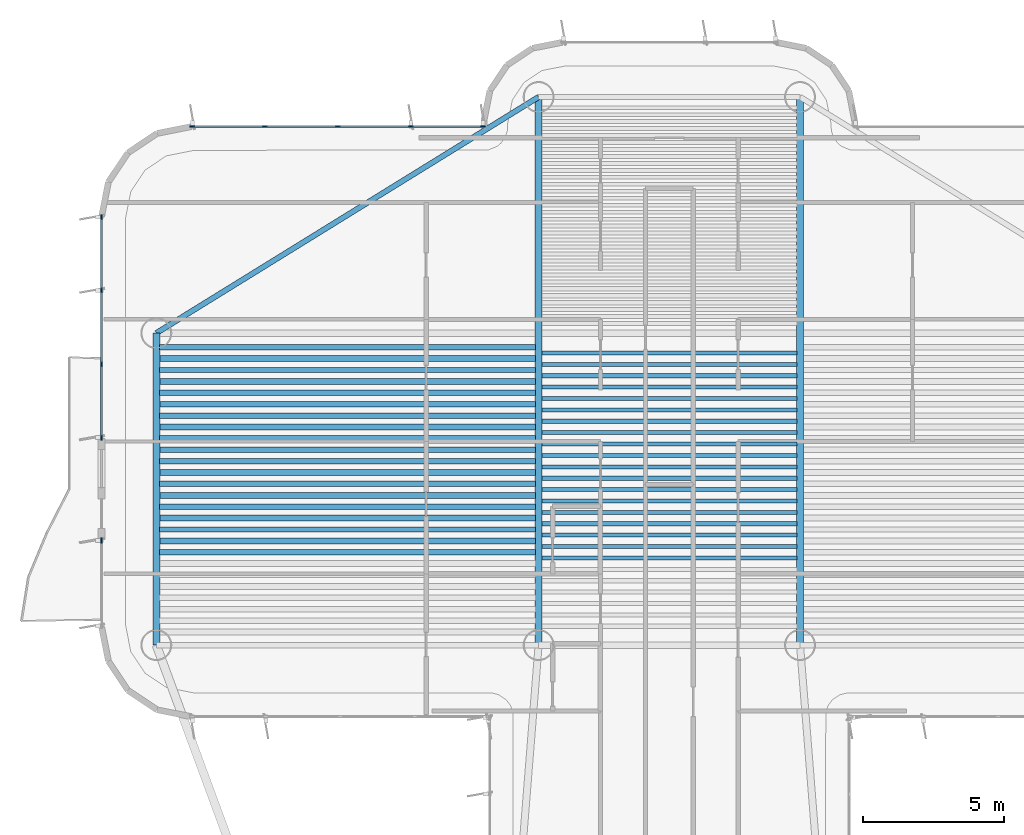
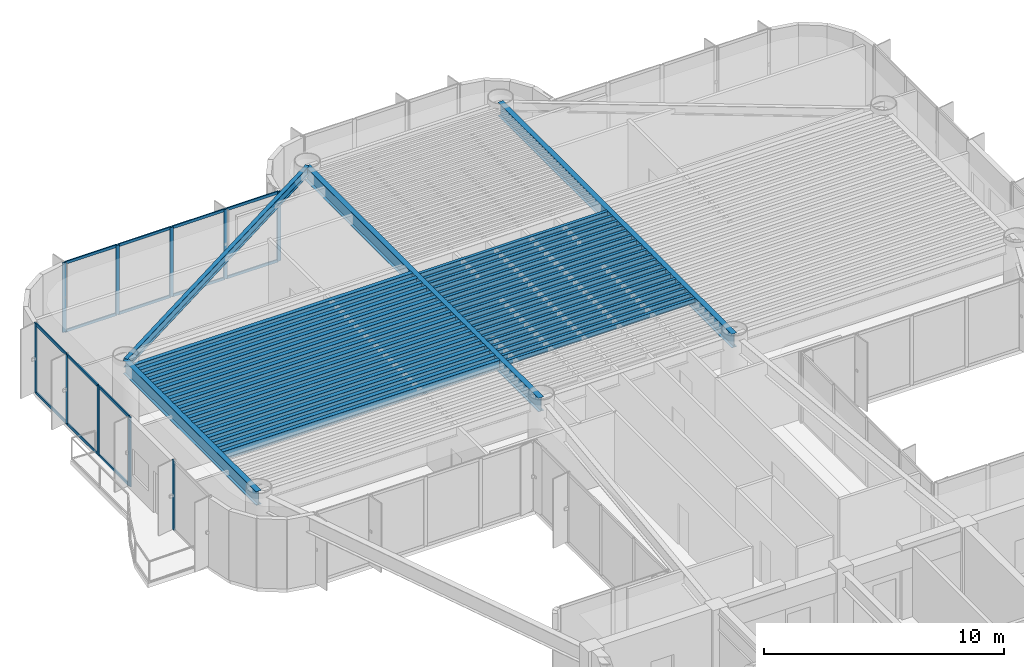
# One storey, part 5 of 14: 42 beams, 24 members, 3 elements without a shape of their own.
"""IFC4 building model written with IfcOpenShell, lengths in metres."""

from ifc_helpers import new_model, si_unit, direction, frame, origin, origin_2d, place, context, subcontext, project, spatial, rectangle, i_section, extrude, source, transform, mapped, material, layer, layer_set, material_profile, profile_set, type_object, element, aggregate, save


model = new_model("IFC4")

# Units and contexts
model_context = context("Model", 3, precision=1e-05, world=origin(), true_north=direction((0.0, 1.0)))
body_context = subcontext(model_context, "Body", "Model", "MODEL_VIEW")
ifc_project = project(units=[si_unit("LENGTHUNIT", "METRE"), si_unit("AREAUNIT", "SQUARE_METRE"), si_unit("VOLUMEUNIT", "CUBIC_METRE"), si_unit("PLANEANGLEUNIT", "RADIAN"), si_unit("MASSUNIT", "GRAM", prefix="KILO")], contexts=[model_context])

# Site, building, storey
site_placement = place(None, origin())
site = spatial("IfcSite", under=ifc_project, at=site_placement, CompositionType="ELEMENT")
building_placement = place(site_placement, origin())
building = spatial("IfcBuilding", under=site, at=building_placement, Name="Brelvock Crest Care Tower", CompositionType="ELEMENT")
storey_placement = place(building_placement, frame((0.0, 0.0, 194.219970703125)))
storey = spatial("IfcBuildingStorey", under=building, at=storey_placement, Name="L49", CompositionType="ELEMENT", Elevation=194.219970703125)

# Beams
ifc_material_1 = material(Name="Steel Grade 350", Category="steel")
ifc_material_profile_1 = material_profile(ifc_material_1, i_section(OverallWidth=0.14599609375, OverallDepth=0.256103515625, WebThickness=0.00634765625, FlangeThickness=0.010986328125, FilletRadius=0.0087890625, at=origin_2d()), Name="250UB37.3")
ifc_profile_set_1 = profile_set([ifc_material_profile_1], Name="Steel Grade 350")
beam_type_1 = type_object("IfcBeamType", Name="BM-J3", PredefinedType="JOIST", material=ifc_profile_set_1)
shared_shape_1 = source(origin(), body_context, "Body", "SweptSolid", [
    extrude(i_section(OverallWidth=0.14599609375, OverallDepth=0.256103515625, WebThickness=0.00634765625, FlangeThickness=0.010986328125, FilletRadius=0.0087890625, at=origin_2d()), origin(), (0.0, 0.0, 1.0), 9.06982421875),
])
for number, where, z_axis, x_axis, name in (
    (1, (31.465087890625, 38.0498046875, 3.402099609375), (1.0, 0.0, 0.0), (0.0, 1.0, 0.0), "BM-JH-L49-7"),
    (2, (31.465087890625, 38.454833984375, 3.402099609375), (1.0, 0.0, 0.0), (0.0, 1.0, 0.0), "BM-JH-L49-8"),
    (3, (31.465087890625, 38.860107421875, 3.402099609375), (1.0, 0.0, 0.0), (0.0, 1.0, 0.0), "BM-JH-L49-9"),
    (4, (31.465087890625, 39.26513671875, 3.402099609375), (1.0, 0.0, 0.0), (0.0, 1.0, 0.0), "BM-JH-L49-10"),
    (5, (31.465087890625, 39.67041015625, 3.402099609375), (1.0, 0.0, 0.0), (0.0, 1.0, 0.0), "BM-JH-L49-11"),
    (6, (31.465087890625, 40.075439453125, 3.402099609375), (1.0, 0.0, 0.0), (0.0, 1.0, 0.0), "BM-JH-L49-12"),
    (7, (31.465087890625, 40.480712890625, 3.402099609375), (1.0, 0.0, 0.0), (0.0, 1.0, 0.0), "BM-JH-L49-13"),
    (8, (31.465087890625, 40.8857421875, 3.402099609375), (1.0, 0.0, 0.0), (0.0, 1.0, 0.0), "BM-JH-L49-14"),
    (9, (31.465087890625, 41.291015625, 3.402099609375), (1.0, 0.0, 0.0), (0.0, 1.0, 0.0), "BM-JH-L49-15"),
    (10, (31.465087890625, 41.696044921875, 3.402099609375), (1.0, 0.0, 0.0), (0.0, 1.0, 0.0), "BM-JH-L49-16"),
    (11, (31.465087890625, 42.101318359375, 3.402099609375), (1.0, 0.0, 0.0), (0.0, 1.0, 0.0), "BM-JH-L49-17"),
    (12, (31.465087890625, 42.50634765625, 3.402099609375), (1.0, 0.0, 0.0), (0.0, 1.0, 0.0), "BM-JH-L49-18"),
    (13, (31.465087890625, 42.91162109375, 3.402099609375), (1.0, 0.0, 0.0), (0.0, 1.0, 0.0), "BM-JH-L49-19"),
    (14, (31.465087890625, 43.316650390625, 3.402099609375), (1.0, 0.0, 0.0), (0.0, 1.0, 0.0), "BM-JH-L49-20"),
    (15, (31.465087890625, 43.7216796875, 3.402099609375), (1.0, 0.0, 0.0), (0.0, 1.0, 0.0), "BM-JH-L49-21"),
    (16, (31.465087890625, 44.126953125, 3.402099609375), (1.0, 0.0, 0.0), (0.0, 1.0, 0.0), "BM-JH-L49-22"),
    (17, (31.465087890625, 44.531982421875, 3.402099609375), (1.0, 0.0, 0.0), (0.0, 1.0, 0.0), "BM-JH-L49-23"),
    (18, (31.465087890625, 44.937255859375, 3.402099609375), (1.0, 0.0, 0.0), (0.0, 1.0, 0.0), "BM-JH-L49-24"),
    (19, (31.465087890625, 45.34228515625, 3.402099609375), (1.0, 0.0, 0.0), (0.0, 1.0, 0.0), "BM-JH-L49-25"),
):
    element("IfcBeam", number, at=place(storey_placement, frame(where, z_axis=z_axis, x_axis=x_axis)), inside=storey, type_object=beam_type_1, Name=name, PredefinedType="JOIST", context=body_context, shape_type="MappedRepresentation", body=[
        mapped(shared_shape_1, transform((0.0, 0.0, 0.0), x_axis=(1.0, 0.0, 0.0), y_axis=(0.0, 1.0, 0.0), z_axis=(0.0, 0.0, 1.0), scale=1.0)),
    ])
ifc_material_profile_2 = material_profile(ifc_material_1, i_section(OverallWidth=0.208984375, OverallDepth=0.532958984375, WebThickness=0.01025390625, FlangeThickness=0.015625, FilletRadius=0.013916015625, at=origin_2d()), Name="530UB92.4")
ifc_profile_set_2 = profile_set([ifc_material_profile_2], Name="Steel Grade 350")
beam_type_2 = type_object("IfcBeamType", Name="BM-G2", PredefinedType="BEAM", material=ifc_profile_set_2)
shared_shape_2 = source(origin(), body_context, "Body", "SweptSolid", [
    extrude(i_section(OverallWidth=0.208984375, OverallDepth=0.532958984375, WebThickness=0.01025390625, FlangeThickness=0.015625, FilletRadius=0.013916015625, at=origin_2d()), origin(), (0.0, 0.0, 1.0), 13.3701171875),
])
for number, where, z_axis, x_axis, name in (
    (20, (17.864990234375, 38.657470703125, 3.263427734375), (1.0, 0.0, 0.0), (0.0, 1.0, 0.0), "BM-JW-L49-9"),
    (21, (17.864990234375, 39.4677734375, 3.263427734375), (1.0, 0.0, 0.0), (0.0, 1.0, 0.0), "BM-JW-L49-11"),
    (22, (17.864990234375, 40.278076171875, 3.263427734375), (1.0, 0.0, 0.0), (0.0, 1.0, 0.0), "BM-JW-L49-13"),
    (23, (17.864990234375, 41.08837890625, 3.263427734375), (1.0, 0.0, 0.0), (0.0, 1.0, 0.0), "BM-JW-L49-15"),
    (24, (17.864990234375, 41.898681640625, 3.263427734375), (1.0, 0.0, 0.0), (0.0, 1.0, 0.0), "BM-JW-L49-17"),
    (25, (17.864990234375, 42.708984375, 3.263427734375), (1.0, 0.0, 0.0), (0.0, 1.0, 0.0), "BM-JW-L49-19"),
    (26, (17.864990234375, 43.519287109375, 3.263427734375), (1.0, 0.0, 0.0), (0.0, 1.0, 0.0), "BM-JW-L49-21"),
    (27, (17.864990234375, 44.32958984375, 3.263427734375), (1.0, 0.0, 0.0), (0.0, 1.0, 0.0), "BM-JW-L49-23"),
    (28, (17.864990234375, 45.139892578125, 3.263427734375), (1.0, 0.0, 0.0), (0.0, 1.0, 0.0), "BM-JW-L49-25"),
):
    element("IfcBeam", number, at=place(storey_placement, frame(where, z_axis=z_axis, x_axis=x_axis)), inside=storey, type_object=beam_type_2, Name=name, PredefinedType="BEAM", context=body_context, shape_type="MappedRepresentation", body=[
        mapped(shared_shape_2, transform((0.0, 0.0, 0.0), x_axis=(1.0, 0.0, 0.0), y_axis=(0.0, 1.0, 0.0), z_axis=(0.0, 0.0, 1.0), scale=1.0)),
    ])
ifc_material_profile_3 = material_profile(ifc_material_1, i_section(OverallWidth=0.19091796875, OverallDepth=0.4599609375, WebThickness=0.010009765625, FlangeThickness=0.01611328125, FilletRadius=0.011474609375, at=origin_2d()), Name="460UB82.1")
ifc_profile_set_3 = profile_set([ifc_material_profile_3], Name="Steel Grade 350")
beam_type_3 = type_object("IfcBeamType", Name="BM-G3", PredefinedType="BEAM", material=ifc_profile_set_3)
shared_shape_3 = source(origin(), body_context, "Body", "SweptSolid", [
    extrude(i_section(OverallWidth=0.19091796875, OverallDepth=0.4599609375, WebThickness=0.010009765625, FlangeThickness=0.01611328125, FilletRadius=0.011474609375, at=origin_2d()), origin(), (0.0, 0.0, 1.0), 13.3701171875),
])
for number, where, z_axis, x_axis, name in (
    (29, (17.864990234375, 38.252197265625, 3.300048828125), (1.0, 0.0, 0.0), (0.0, 1.0, 0.0), "BM-JW-L49-8"),
    (30, (17.864990234375, 39.0625, 3.300048828125), (1.0, 0.0, 0.0), (0.0, 1.0, 0.0), "BM-JW-L49-10"),
    (31, (17.864990234375, 39.872802734375, 3.300048828125), (1.0, 0.0, 0.0), (0.0, 1.0, 0.0), "BM-JW-L49-12"),
    (32, (17.864990234375, 40.68310546875, 3.300048828125), (1.0, 0.0, 0.0), (0.0, 1.0, 0.0), "BM-JW-L49-14"),
    (33, (17.864990234375, 41.493408203125, 3.300048828125), (1.0, 0.0, 0.0), (0.0, 1.0, 0.0), "BM-JW-L49-16"),
    (34, (17.864990234375, 42.3037109375, 3.300048828125), (1.0, 0.0, 0.0), (0.0, 1.0, 0.0), "BM-JW-L49-18"),
    (35, (17.864990234375, 43.114013671875, 3.300048828125), (1.0, 0.0, 0.0), (0.0, 1.0, 0.0), "BM-JW-L49-20"),
    (36, (17.864990234375, 43.92431640625, 3.300048828125), (1.0, 0.0, 0.0), (0.0, 1.0, 0.0), "BM-JW-L49-22"),
    (37, (17.864990234375, 44.734619140625, 3.300048828125), (1.0, 0.0, 0.0), (0.0, 1.0, 0.0), "BM-JW-L49-24"),
    (38, (17.864990234375, 45.544921875, 3.300048828125), (1.0, 0.0, 0.0), (0.0, 1.0, 0.0), "BM-JW-L49-26"),
):
    element("IfcBeam", number, at=place(storey_placement, frame(where, z_axis=z_axis, x_axis=x_axis)), inside=storey, type_object=beam_type_3, Name=name, PredefinedType="BEAM", context=body_context, shape_type="MappedRepresentation", body=[
        mapped(shared_shape_3, transform((0.0, 0.0, 0.0), x_axis=(1.0, 0.0, 0.0), y_axis=(0.0, 1.0, 0.0), z_axis=(0.0, 0.0, 1.0), scale=1.0)),
    ])
ifc_material_profile_4 = material_profile(ifc_material_1, i_section(OverallWidth=0.25, OverallDepth=0.699951171875, WebThickness=0.011962890625, FlangeThickness=0.02001953125, at=origin_2d()), Name="700WB150")
ifc_profile_set_4 = profile_set([ifc_material_profile_4], Name="Steel Grade 350")
beam_type_4 = type_object("IfcBeamType", Name="BM-G4", PredefinedType="BEAM", material=ifc_profile_set_4)
shared_shape_4 = source(origin(), body_context, "Body", "SweptSolid", [
    extrude(i_section(OverallWidth=0.25, OverallDepth=0.699951171875, WebThickness=0.011962890625, FlangeThickness=0.02001953125, at=origin_2d()), origin(), (0.0, 0.0, 1.0), 11.10009765625),
])
beam_1_placement = place(storey_placement, frame((17.75, 34.949951171875, 3.179931640625), z_axis=(0.0, 1.0, 0.0), x_axis=(-1.0, 0.0, 0.0)))
element("IfcBeam", 39, at=beam_1_placement, inside=storey, type_object=beam_type_4, Name="BM-TWR-L49-01", PredefinedType="BEAM", context=body_context, shape_type="MappedRepresentation", body=[
    mapped(shared_shape_4, transform((0.0, 0.0, 0.0), x_axis=(1.0, 0.0, 0.0), y_axis=(0.0, 1.0, 0.0), z_axis=(0.0, 0.0, 1.0), scale=1.0)),
])
ifc_material_profile_5 = material_profile(ifc_material_1, i_section(OverallWidth=0.19091796875, OverallDepth=0.4599609375, WebThickness=0.010009765625, FlangeThickness=0.01611328125, FilletRadius=0.011474609375, at=origin_2d()), Name="460UB82.1")
ifc_profile_set_5 = profile_set([ifc_material_profile_5], Name="Steel Grade 350")
beam_type_5 = type_object("IfcBeamType", Name="BM-SP2", PredefinedType="SPANDREL", material=ifc_profile_set_5)
shared_shape_5 = source(origin(), body_context, "Body", "SweptSolid", [
    extrude(i_section(OverallWidth=0.19091796875, OverallDepth=0.4599609375, WebThickness=0.010009765625, FlangeThickness=0.01611328125, FilletRadius=0.011474609375, at=origin_2d()), origin(), (0.0, 0.0, 1.0), 15.985107421875),
])
beam_2_placement = place(storey_placement, frame((17.75, 46.050048828125, 3.300048828125), z_axis=(0.850802415717, 0.525485727124, 0.0), x_axis=(-0.525485727124, 0.850802415717, 0.0)))
element("IfcBeam", 40, at=beam_2_placement, inside=storey, type_object=beam_type_5, Name="BM-TWR-L49-06", PredefinedType="SPANDREL", context=body_context, shape_type="MappedRepresentation", body=[
    mapped(shared_shape_5, transform((0.0, 0.0, 0.0), x_axis=(1.0, 0.0, 0.0), y_axis=(0.0, 1.0, 0.0), z_axis=(0.0, 0.0, 1.0), scale=1.0)),
])
shared_shape_6 = source(origin(), body_context, "Body", "SweptSolid", [
    extrude(i_section(OverallWidth=0.25, OverallDepth=0.699951171875, WebThickness=0.011962890625, FlangeThickness=0.02001953125, at=origin_2d()), origin(), (0.0, 0.0, 1.0), 19.5),
])
for number, where, z_axis, x_axis, name in (
    (41, (31.35009765625, 34.949951171875, 3.179931640625), (0.0, 1.0, 0.0), (-1.0, 0.0, 0.0), "BM-TWR-L49-09"),
    (42, (40.64990234375, 34.949951171875, 3.179931640625), (0.0, 1.0, 0.0), (-1.0, 0.0, 0.0), "BM-TWR-L49-10"),
):
    element("IfcBeam", number, at=place(storey_placement, frame(where, z_axis=z_axis, x_axis=x_axis)), inside=storey, type_object=beam_type_4, Name=name, PredefinedType="BEAM", context=body_context, shape_type="MappedRepresentation", body=[
        mapped(shared_shape_6, transform((0.0, 0.0, 0.0), x_axis=(1.0, 0.0, 0.0), y_axis=(0.0, 1.0, 0.0), z_axis=(0.0, 0.0, 1.0), scale=1.0)),
    ])

# Curtain wall, member
ifc_material_2 = material(Name="Dark Glass Double Glazed Low-E", Category="glass")
ifc_layer = layer(ifc_material_2, 0.22509765625, Name="CWS-4")
ifc_layer_set = layer_set([ifc_layer], Name="Dark Glass Double Glazed Low-E")
curtain_wall_type = type_object("IfcCurtainWallType", Name="CWS-4", PredefinedType="NOTDEFINED", material=ifc_layer_set)
curtain_wall_1_placement = place(storey_placement, origin())
curtain_wall_1 = element("IfcCurtainWall", 43, at=curtain_wall_1_placement, inside=storey, type_object=curtain_wall_type, Name="L49 Curtain Wall E17A", PredefinedType="NOTDEFINED")
ifc_material_3 = material(Name="Aluminium 6063-T6", Category="aluminium")
ifc_material_profile_6 = material_profile(ifc_material_3, rectangle(XDim=0.06005859375, YDim=0.179931640625, at=origin_2d()), Name="ALU60x180")
ifc_profile_set_6 = profile_set([ifc_material_profile_6], Name="Aluminium 6063-T6")
member_type_1 = type_object("IfcMemberType", Name="CWM-2", PredefinedType="MULLION", material=ifc_profile_set_6)
shared_shape_7 = source(origin(), body_context, "Body", "SweptSolid", [
    extrude(rectangle(XDim=0.06005859375, YDim=0.179931640625, at=origin_2d()), origin(), (0.0, 0.0, 1.0), 3.530029296875),
])
member_1_placement = place(storey_placement, frame((15.800048828125, 38.669921875, 0.0), z_axis=(0.0, 0.0, 1.0), x_axis=(-1.0, 0.0, 0.0)))
member_1 = element("IfcMember", 44, at=member_1_placement, type_object=member_type_1, Name="CW-4 mullion 2", PredefinedType="MULLION", context=body_context, shape_type="MappedRepresentation", body=[
    mapped(shared_shape_7, transform((0.0, 0.0, 0.0), x_axis=(1.0, 0.0, 0.0), y_axis=(0.0, 1.0, 0.0), z_axis=(0.0, 0.0, 1.0), scale=1.0)),
])
aggregate(curtain_wall_1, [member_1])

# Curtain wall, members
curtain_wall_2_placement = place(storey_placement, origin())
curtain_wall_2 = element("IfcCurtainWall", 45, at=curtain_wall_2_placement, inside=storey, type_object=curtain_wall_type, Name="L49 Curtain Wall E17B", PredefinedType="NOTDEFINED")
member_2_placement = place(storey_placement, frame((15.800048828125, 42.330078125, 0.0), z_axis=(0.0, 0.0, 1.0), x_axis=(-1.0, 0.0, 0.0)))
member_2 = element("IfcMember", 46, at=member_2_placement, type_object=member_type_1, Name="CW-4 mullion 1", PredefinedType="MULLION", context=body_context, shape_type="MappedRepresentation", body=[
    mapped(shared_shape_7, transform((0.0, 0.0, 0.0), x_axis=(1.0, 0.0, 0.0), y_axis=(0.0, 1.0, 0.0), z_axis=(0.0, 0.0, 1.0), scale=1.0)),
])
member_3_placement = place(storey_placement, frame((15.800048828125, 44.933349609375, 0.0), z_axis=(0.0, 0.0, 1.0), x_axis=(-1.0, 0.0, 0.0)))
member_3 = element("IfcMember", 47, at=member_3_placement, type_object=member_type_1, Name="CW-4 mullion 2", PredefinedType="MULLION", context=body_context, shape_type="MappedRepresentation", body=[
    mapped(shared_shape_7, transform((0.0, 0.0, 0.0), x_axis=(1.0, 0.0, 0.0), y_axis=(0.0, 1.0, 0.0), z_axis=(0.0, 0.0, 1.0), scale=1.0)),
])
member_4_placement = place(storey_placement, frame((15.800048828125, 47.566650390625, 0.0), z_axis=(0.0, 0.0, 1.0), x_axis=(-1.0, 0.0, 0.0)))
member_4 = element("IfcMember", 48, at=member_4_placement, type_object=member_type_1, Name="CW-4 mullion 3", PredefinedType="MULLION", context=body_context, shape_type="MappedRepresentation", body=[
    mapped(shared_shape_7, transform((0.0, 0.0, 0.0), x_axis=(1.0, 0.0, 0.0), y_axis=(0.0, 1.0, 0.0), z_axis=(0.0, 0.0, 1.0), scale=1.0)),
])
member_5_placement = place(storey_placement, frame((15.800048828125, 50.169921875, 0.0), z_axis=(0.0, 0.0, 1.0), x_axis=(-1.0, 0.0, 0.0)))
member_5 = element("IfcMember", 49, at=member_5_placement, type_object=member_type_1, Name="CW-4 mullion 4", PredefinedType="MULLION", context=body_context, shape_type="MappedRepresentation", body=[
    mapped(shared_shape_7, transform((0.0, 0.0, 0.0), x_axis=(1.0, 0.0, 0.0), y_axis=(0.0, 1.0, 0.0), z_axis=(0.0, 0.0, 1.0), scale=1.0)),
])

curtain_wall_3_placement = place(storey_placement, origin())
curtain_wall_3 = element("IfcCurtainWall", 50, at=curtain_wall_3_placement, inside=storey, type_object=curtain_wall_type, Name="L49 Curtain Wall E22", PredefinedType="NOTDEFINED")
member_6_placement = place(storey_placement, frame((19.030029296875, 53.39990234375, 0.0), z_axis=(0.0, 0.0, 1.0), x_axis=(0.0, 1.0, 0.0)))
member_6 = element("IfcMember", 51, at=member_6_placement, type_object=member_type_1, Name="CW-4 mullion 1", PredefinedType="MULLION", context=body_context, shape_type="MappedRepresentation", body=[
    mapped(shared_shape_7, transform((0.0, 0.0, 0.0), x_axis=(1.0, 0.0, 0.0), y_axis=(0.0, 1.0, 0.0), z_axis=(0.0, 0.0, 1.0), scale=1.0)),
])
member_7_placement = place(storey_placement, frame((21.60009765625, 53.39990234375, 0.0), z_axis=(0.0, 0.0, 1.0), x_axis=(0.0, 1.0, 0.0)))
member_7 = element("IfcMember", 52, at=member_7_placement, type_object=member_type_1, Name="CW-4 mullion 2", PredefinedType="MULLION", context=body_context, shape_type="MappedRepresentation", body=[
    mapped(shared_shape_7, transform((0.0, 0.0, 0.0), x_axis=(1.0, 0.0, 0.0), y_axis=(0.0, 1.0, 0.0), z_axis=(0.0, 0.0, 1.0), scale=1.0)),
])
member_8_placement = place(storey_placement, frame((24.199951171875, 53.39990234375, 0.0), z_axis=(0.0, 0.0, 1.0), x_axis=(0.0, 1.0, 0.0)))
member_8 = element("IfcMember", 53, at=member_8_placement, type_object=member_type_1, Name="CW-4 mullion 3", PredefinedType="MULLION", context=body_context, shape_type="MappedRepresentation", body=[
    mapped(shared_shape_7, transform((0.0, 0.0, 0.0), x_axis=(1.0, 0.0, 0.0), y_axis=(0.0, 1.0, 0.0), z_axis=(0.0, 0.0, 1.0), scale=1.0)),
])
member_9_placement = place(storey_placement, frame((26.800048828125, 53.39990234375, 0.0), z_axis=(0.0, 0.0, 1.0), x_axis=(0.0, 1.0, 0.0)))
member_9 = element("IfcMember", 54, at=member_9_placement, type_object=member_type_1, Name="CW-4 mullion 4", PredefinedType="MULLION", context=body_context, shape_type="MappedRepresentation", body=[
    mapped(shared_shape_7, transform((0.0, 0.0, 0.0), x_axis=(1.0, 0.0, 0.0), y_axis=(0.0, 1.0, 0.0), z_axis=(0.0, 0.0, 1.0), scale=1.0)),
])
member_10_placement = place(storey_placement, frame((29.3701171875, 53.39990234375, 0.0), z_axis=(0.0, 0.0, 1.0), x_axis=(0.0, 1.0, 0.0)))
member_10 = element("IfcMember", 55, at=member_10_placement, type_object=member_type_1, Name="CW-4 mullion 5", PredefinedType="MULLION", context=body_context, shape_type="MappedRepresentation", body=[
    mapped(shared_shape_7, transform((0.0, 0.0, 0.0), x_axis=(1.0, 0.0, 0.0), y_axis=(0.0, 1.0, 0.0), z_axis=(0.0, 0.0, 1.0), scale=1.0)),
])
ifc_material_profile_7 = material_profile(ifc_material_3, rectangle(XDim=0.06005859375, YDim=0.139892578125, at=origin_2d()), Name="ALU60x140")
ifc_profile_set_7 = profile_set([ifc_material_profile_7], Name="Aluminium 6063-T6")
member_type_2 = type_object("IfcMemberType", Name="CWT-2", PredefinedType="USERDEFINED", material=ifc_profile_set_7)
shared_shape_8 = source(origin(), body_context, "Body", "SweptSolid", [
    extrude(rectangle(XDim=0.06005859375, YDim=0.139892578125, at=origin_2d()), origin(), (0.0, 0.0, 1.0), 2.510009765625),
])
member_11_placement = place(storey_placement, frame((19.06005859375, 53.39990234375, 0.030029296875), z_axis=(1.0, 0.0, 0.0), x_axis=(0.0, 1.0, 0.0)))
member_11 = element("IfcMember", 56, at=member_11_placement, type_object=member_type_2, Name="CW-4 transom 1.1", ObjectType="TRANSOM", PredefinedType="USERDEFINED", context=body_context, shape_type="MappedRepresentation", body=[
    mapped(shared_shape_8, transform((0.0, 0.0, 0.0), x_axis=(1.0, 0.0, 0.0), y_axis=(0.0, 1.0, 0.0), z_axis=(0.0, 0.0, 1.0), scale=1.0)),
])
member_12_placement = place(storey_placement, frame((19.06005859375, 53.39990234375, 3.5), z_axis=(1.0, 0.0, 0.0), x_axis=(0.0, 1.0, 0.0)))
member_12 = element("IfcMember", 57, at=member_12_placement, type_object=member_type_2, Name="CW-4 transom 1.2", ObjectType="TRANSOM", PredefinedType="USERDEFINED", context=body_context, shape_type="MappedRepresentation", body=[
    mapped(shared_shape_8, transform((0.0, 0.0, 0.0), x_axis=(1.0, 0.0, 0.0), y_axis=(0.0, 1.0, 0.0), z_axis=(0.0, 0.0, 1.0), scale=1.0)),
])
member_13_placement = place(storey_placement, frame((26.830078125, 53.39990234375, 0.030029296875), z_axis=(1.0, 0.0, 0.0), x_axis=(0.0, 1.0, 0.0)))
member_13 = element("IfcMember", 58, at=member_13_placement, type_object=member_type_2, Name="CW-4 transom 4.1", ObjectType="TRANSOM", PredefinedType="USERDEFINED", context=body_context, shape_type="MappedRepresentation", body=[
    mapped(shared_shape_8, transform((0.0, 0.0, 0.0), x_axis=(1.0, 0.0, 0.0), y_axis=(0.0, 1.0, 0.0), z_axis=(0.0, 0.0, 1.0), scale=1.0)),
])
member_14_placement = place(storey_placement, frame((26.830078125, 53.39990234375, 3.5), z_axis=(1.0, 0.0, 0.0), x_axis=(0.0, 1.0, 0.0)))
member_14 = element("IfcMember", 59, at=member_14_placement, type_object=member_type_2, Name="CW-4 transom 4.2", ObjectType="TRANSOM", PredefinedType="USERDEFINED", context=body_context, shape_type="MappedRepresentation", body=[
    mapped(shared_shape_8, transform((0.0, 0.0, 0.0), x_axis=(1.0, 0.0, 0.0), y_axis=(0.0, 1.0, 0.0), z_axis=(0.0, 0.0, 1.0), scale=1.0)),
])
shared_shape_9 = source(origin(), body_context, "Body", "SweptSolid", [
    extrude(rectangle(XDim=0.06005859375, YDim=0.139892578125, at=origin_2d()), origin(), (0.0, 0.0, 1.0), 2.5400390625),
])
member_15_placement = place(storey_placement, frame((21.6298828125, 53.39990234375, 0.030029296875), z_axis=(1.0, 0.0, 0.0), x_axis=(0.0, 1.0, 0.0)))
member_15 = element("IfcMember", 60, at=member_15_placement, type_object=member_type_2, Name="CW-4 transom 2.1", ObjectType="TRANSOM", PredefinedType="USERDEFINED", context=body_context, shape_type="MappedRepresentation", body=[
    mapped(shared_shape_9, transform((0.0, 0.0, 0.0), x_axis=(1.0, 0.0, 0.0), y_axis=(0.0, 1.0, 0.0), z_axis=(0.0, 0.0, 1.0), scale=1.0)),
])
member_16_placement = place(storey_placement, frame((21.6298828125, 53.39990234375, 3.5), z_axis=(1.0, 0.0, 0.0), x_axis=(0.0, 1.0, 0.0)))
member_16 = element("IfcMember", 61, at=member_16_placement, type_object=member_type_2, Name="CW-4 transom 2.2", ObjectType="TRANSOM", PredefinedType="USERDEFINED", context=body_context, shape_type="MappedRepresentation", body=[
    mapped(shared_shape_9, transform((0.0, 0.0, 0.0), x_axis=(1.0, 0.0, 0.0), y_axis=(0.0, 1.0, 0.0), z_axis=(0.0, 0.0, 1.0), scale=1.0)),
])
member_17_placement = place(storey_placement, frame((24.22998046875, 53.39990234375, 0.030029296875), z_axis=(1.0, 0.0, 0.0), x_axis=(0.0, 1.0, 0.0)))
member_17 = element("IfcMember", 62, at=member_17_placement, type_object=member_type_2, Name="CW-4 transom 3.1", ObjectType="TRANSOM", PredefinedType="USERDEFINED", context=body_context, shape_type="MappedRepresentation", body=[
    mapped(shared_shape_9, transform((0.0, 0.0, 0.0), x_axis=(1.0, 0.0, 0.0), y_axis=(0.0, 1.0, 0.0), z_axis=(0.0, 0.0, 1.0), scale=1.0)),
])
member_18_placement = place(storey_placement, frame((24.22998046875, 53.39990234375, 3.5), z_axis=(1.0, 0.0, 0.0), x_axis=(0.0, 1.0, 0.0)))
member_18 = element("IfcMember", 63, at=member_18_placement, type_object=member_type_2, Name="CW-4 transom 3.2", ObjectType="TRANSOM", PredefinedType="USERDEFINED", context=body_context, shape_type="MappedRepresentation", body=[
    mapped(shared_shape_9, transform((0.0, 0.0, 0.0), x_axis=(1.0, 0.0, 0.0), y_axis=(0.0, 1.0, 0.0), z_axis=(0.0, 0.0, 1.0), scale=1.0)),
])
aggregate(curtain_wall_3, [member_6, member_7, member_8, member_9, member_10, member_11, member_12, member_15, member_16, member_17, member_18, member_13, member_14])

# Member
shared_shape_10 = source(origin(), body_context, "Body", "SweptSolid", [
    extrude(rectangle(XDim=0.06005859375, YDim=0.139892578125, at=origin_2d()), origin(), (0.0, 0.0, 1.0), 2.543212890625),
])
member_19_placement = place(storey_placement, frame((15.800048828125, 42.360107421875, 0.030029296875), z_axis=(0.0, 1.0, 0.0), x_axis=(-1.0, 0.0, 0.0)))
member_19 = element("IfcMember", 64, at=member_19_placement, type_object=member_type_2, Name="CW-4 transom 1.1", ObjectType="TRANSOM", PredefinedType="USERDEFINED", context=body_context, shape_type="MappedRepresentation", body=[
    mapped(shared_shape_10, transform((0.0, 0.0, 0.0), x_axis=(1.0, 0.0, 0.0), y_axis=(0.0, 1.0, 0.0), z_axis=(0.0, 0.0, 1.0), scale=1.0)),
])

member_20_placement = place(storey_placement, frame((15.800048828125, 42.360107421875, 3.5), z_axis=(0.0, 1.0, 0.0), x_axis=(-1.0, 0.0, 0.0)))
member_20 = element("IfcMember", 65, at=member_20_placement, type_object=member_type_2, Name="CW-4 transom 1.2", ObjectType="TRANSOM", PredefinedType="USERDEFINED", context=body_context, shape_type="MappedRepresentation", body=[
    mapped(shared_shape_10, transform((0.0, 0.0, 0.0), x_axis=(1.0, 0.0, 0.0), y_axis=(0.0, 1.0, 0.0), z_axis=(0.0, 0.0, 1.0), scale=1.0)),
])

member_21_placement = place(storey_placement, frame((15.800048828125, 47.5966796875, 0.030029296875), z_axis=(0.0, 1.0, 0.0), x_axis=(-1.0, 0.0, 0.0)))
member_21 = element("IfcMember", 66, at=member_21_placement, type_object=member_type_2, Name="CW-4 transom 3.1", ObjectType="TRANSOM", PredefinedType="USERDEFINED", context=body_context, shape_type="MappedRepresentation", body=[
    mapped(shared_shape_10, transform((0.0, 0.0, 0.0), x_axis=(1.0, 0.0, 0.0), y_axis=(0.0, 1.0, 0.0), z_axis=(0.0, 0.0, 1.0), scale=1.0)),
])

member_22_placement = place(storey_placement, frame((15.800048828125, 47.5966796875, 3.5), z_axis=(0.0, 1.0, 0.0), x_axis=(-1.0, 0.0, 0.0)))
member_22 = element("IfcMember", 67, at=member_22_placement, type_object=member_type_2, Name="CW-4 transom 3.2", ObjectType="TRANSOM", PredefinedType="USERDEFINED", context=body_context, shape_type="MappedRepresentation", body=[
    mapped(shared_shape_10, transform((0.0, 0.0, 0.0), x_axis=(1.0, 0.0, 0.0), y_axis=(0.0, 1.0, 0.0), z_axis=(0.0, 0.0, 1.0), scale=1.0)),
])

shared_shape_11 = source(origin(), body_context, "Body", "SweptSolid", [
    extrude(rectangle(XDim=0.06005859375, YDim=0.139892578125, at=origin_2d()), origin(), (0.0, 0.0, 1.0), 2.5732421875),
])
member_23_placement = place(storey_placement, frame((15.800048828125, 44.96337890625, 0.030029296875), z_axis=(0.0, 1.0, 0.0), x_axis=(-1.0, 0.0, 0.0)))
member_23 = element("IfcMember", 68, at=member_23_placement, type_object=member_type_2, Name="CW-4 transom 2.1", ObjectType="TRANSOM", PredefinedType="USERDEFINED", context=body_context, shape_type="MappedRepresentation", body=[
    mapped(shared_shape_11, transform((0.0, 0.0, 0.0), x_axis=(1.0, 0.0, 0.0), y_axis=(0.0, 1.0, 0.0), z_axis=(0.0, 0.0, 1.0), scale=1.0)),
])

member_24_placement = place(storey_placement, frame((15.800048828125, 44.96337890625, 3.5), z_axis=(0.0, 1.0, 0.0), x_axis=(-1.0, 0.0, 0.0)))
member_24 = element("IfcMember", 69, at=member_24_placement, type_object=member_type_2, Name="CW-4 transom 2.2", ObjectType="TRANSOM", PredefinedType="USERDEFINED", context=body_context, shape_type="MappedRepresentation", body=[
    mapped(shared_shape_11, transform((0.0, 0.0, 0.0), x_axis=(1.0, 0.0, 0.0), y_axis=(0.0, 1.0, 0.0), z_axis=(0.0, 0.0, 1.0), scale=1.0)),
])

aggregate(curtain_wall_2, [member_2, member_3, member_4, member_5, member_19, member_20, member_23, member_24, member_21, member_22])

save(model, "model.ifc")
